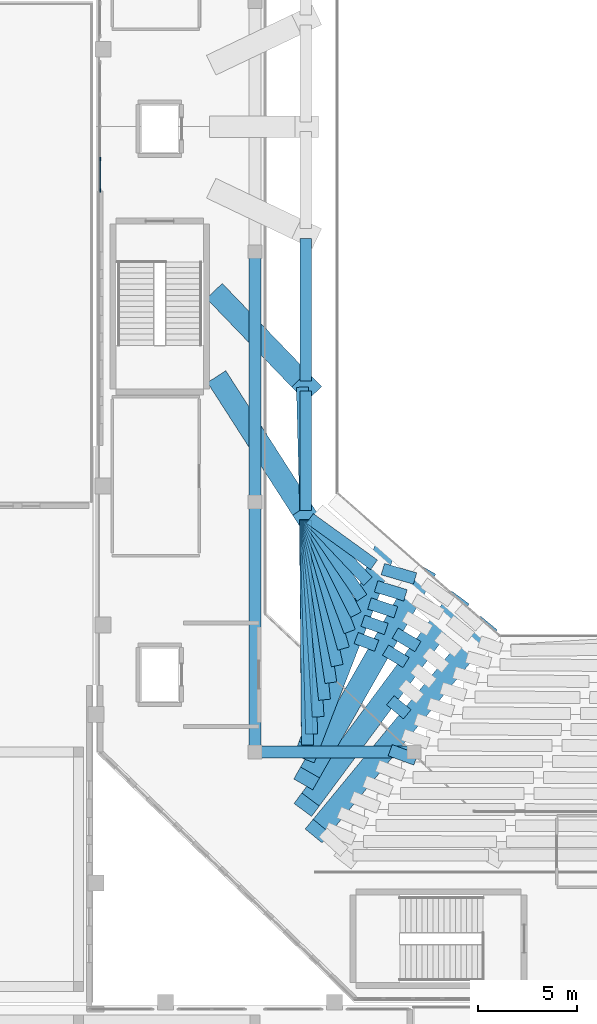
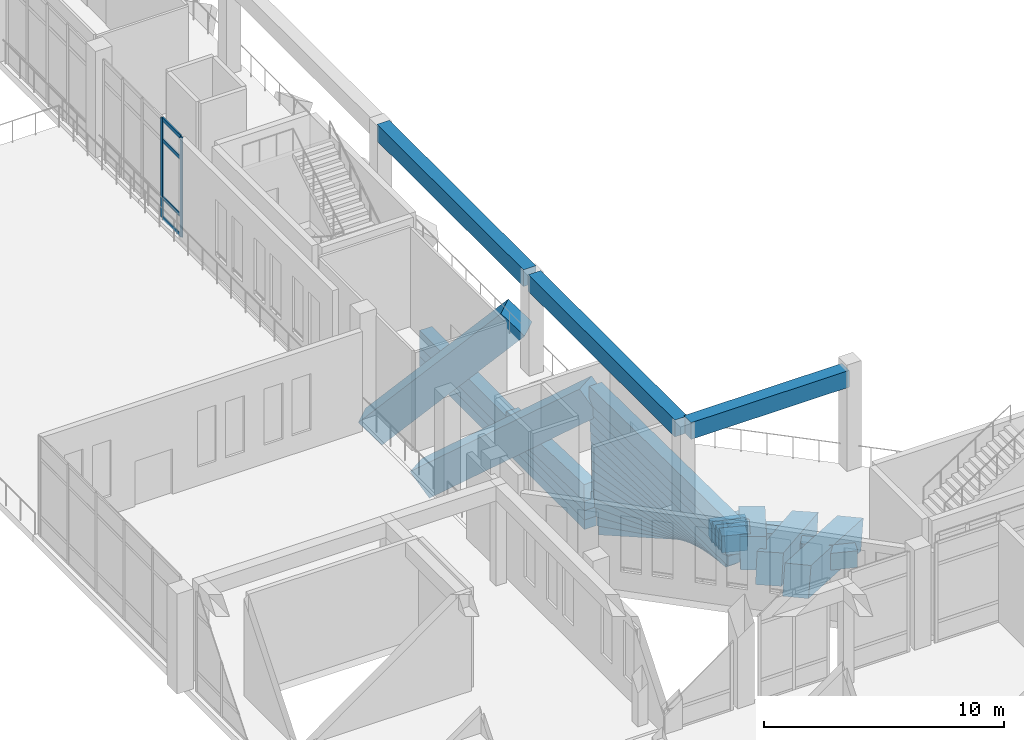
# One storey, part 10 of 55: 40 beams, 6 members, 1 element without a shape of its own.
"""IFC4 building model written with IfcOpenShell, lengths in metres."""

from ifc_helpers import new_model, si_unit, derived_unit, direction, frame, origin, origin_2d, place, context, subcontext, project, spatial, rectangle, extrude, material, layer, layer_set, material_profile, profile_set, type_object, element, aggregate, save


model = new_model("IFC4")

# Units and contexts
model_context = context("Model", 3, precision=1e-05, world=origin(), true_north=direction((0.0, 1.0)))
body_context = subcontext(model_context, "Body", "Model", "MODEL_VIEW")
ifc_project = project(units=[si_unit("LENGTHUNIT", "METRE"), si_unit("AREAUNIT", "SQUARE_METRE"), si_unit("VOLUMEUNIT", "CUBIC_METRE"), si_unit("PLANEANGLEUNIT", "RADIAN"), si_unit("MASSUNIT", "GRAM", prefix="KILO"), derived_unit("THERMALTRANSMITTANCEUNIT", [(si_unit("MASSUNIT", "GRAM", prefix="KILO"), 1), (si_unit("TIMEUNIT", "SECOND"), -3), (si_unit("THERMODYNAMICTEMPERATUREUNIT", "KELVIN"), -1)])], contexts=[model_context])

# Site, building, storey
site_placement = place(None, origin())
site = spatial("IfcSite", under=ifc_project, at=site_placement, CompositionType="ELEMENT")
building_placement = place(site_placement, origin())
building = spatial("IfcBuilding", under=site, at=building_placement, Name="Valcora Ridge Arena", CompositionType="ELEMENT")
storey_placement = place(building_placement, frame((0.0, 0.0, 21.0)))
storey = spatial("IfcBuildingStorey", under=building, at=storey_placement, Name="L04", CompositionType="ELEMENT", Elevation=21.0)

# Beams
ifc_material_1 = material(Name="Concrete C40/50", Category="concrete")
ifc_material_profile_1 = material_profile(ifc_material_1, rectangle(XDim=0.60009765625, YDim=0.85009765625, at=origin_2d()), Name="RC 600x850")
ifc_profile_set_1 = profile_set([ifc_material_profile_1], Name="Concrete C40/50")
beam_type_1 = type_object("IfcBeamType", Name="TY-BEAM-B-RC600-X", PredefinedType="BEAM", material=ifc_profile_set_1)
beam_1_placement = place(storey_placement, frame((26.55712890625, 58.48046875, -8.22509765625), z_axis=(0.0, -1.0, 0.0), x_axis=(1.0, 0.0, 0.0)))
element("IfcBeam", 1, at=beam_1_placement, inside=storey, type_object=beam_type_1, Name="B-RC600-X BEM-RU3-B-RC600-X-0001", PredefinedType="BEAM", context=body_context, shape_type="SweptSolid", body=[
    extrude(rectangle(XDim=0.60009765625, YDim=0.85009765625, at=origin_2d()), origin(), (0.0, 0.0, 1.0), 7.185791015625),
])
beam_2_placement = place(storey_placement, frame((26.55712890625, 50.794677734375, -8.22509765625), z_axis=(0.0, -1.0, 0.0), x_axis=(1.0, 0.0, 0.0)))
element("IfcBeam", 2, at=beam_2_placement, inside=storey, type_object=beam_type_1, Name="B-RC600-X BEM-RU3-B-RC600-X-0002", PredefinedType="BEAM", context=body_context, shape_type="SweptSolid", body=[
    extrude(rectangle(XDim=0.60009765625, YDim=0.85009765625, at=origin_2d()), origin(), (0.0, 0.0, 1.0), 6.02783203125),
])
beam_3_placement = place(storey_placement, frame((26.759765625, 44.370361328125, -8.22509765625), z_axis=(0.810416076583, -0.585854745492, 0.0), x_axis=(0.585854745492, 0.810416076583, 0.0)))
element("IfcBeam", 3, at=beam_3_placement, inside=storey, type_object=beam_type_1, Name="B-RC600-X BEM-RU3-B-RC600-X-0003", PredefinedType="BEAM", context=body_context, shape_type="SweptSolid", body=[
    extrude(rectangle(XDim=0.60009765625, YDim=0.85009765625, at=origin_2d()), origin(), (0.0, 0.0, 1.0), 3.989013671875),
])
beam_4_placement = place(storey_placement, frame((30.43505859375, 41.817138671875, -8.22509765625), z_axis=(0.960164384448, -0.279435779452, 0.0), x_axis=(0.279435779452, 0.960164384448, 0.0)))
element("IfcBeam", 4, at=beam_4_placement, inside=storey, type_object=beam_type_1, Name="B-RC600-X BEM-RU3-B-RC600-X-0004", PredefinedType="BEAM", context=body_context, shape_type="SweptSolid", body=[
    extrude(rectangle(XDim=0.60009765625, YDim=0.85009765625, at=origin_2d()), origin(), (0.0, 0.0, 1.0), 1.695068359375),
])
beam_5_placement = place(storey_placement, frame((26.55712890625, 58.48046875, -7.7451171875), z_axis=(0.0, -1.0, 0.0), x_axis=(1.0, 0.0, 0.0)))
element("IfcBeam", 5, at=beam_5_placement, inside=storey, type_object=beam_type_1, Name="B-RC600-X BEM-RU3-B-RC600-X-0048", PredefinedType="BEAM", context=body_context, shape_type="SweptSolid", body=[
    extrude(rectangle(XDim=0.60009765625, YDim=0.85009765625, at=origin_2d()), origin(), (0.0, 0.0, 1.0), 7.185791015625),
])
beam_6_placement = place(storey_placement, frame((26.55712890625, 50.794677734375, -7.7451171875), z_axis=(0.0, -1.0, 0.0), x_axis=(1.0, 0.0, 0.0)))
element("IfcBeam", 6, at=beam_6_placement, inside=storey, type_object=beam_type_1, Name="B-RC600-X BEM-RU3-B-RC600-X-0049", PredefinedType="BEAM", context=body_context, shape_type="SweptSolid", body=[
    extrude(rectangle(XDim=0.60009765625, YDim=0.85009765625, at=origin_2d()), origin(), (0.0, 0.0, 1.0), 6.02783203125),
])
beam_7_placement = place(storey_placement, frame((26.72900390625, 44.335205078125, -7.7451171875), z_axis=(0.687195811826, -0.726472240494, 0.0), x_axis=(0.726472240494, 0.687195811826, 0.0)))
element("IfcBeam", 7, at=beam_7_placement, inside=storey, type_object=beam_type_1, Name="B-RC600-X BEM-RU3-B-RC600-X-0050", PredefinedType="BEAM", context=body_context, shape_type="SweptSolid", body=[
    extrude(rectangle(XDim=0.60009765625, YDim=0.85009765625, at=origin_2d()), origin(), (0.0, 0.0, 1.0), 4.3076171875),
])
beam_8_placement = place(storey_placement, frame((30.099853515625, 40.95068359375, -7.7451171875), z_axis=(0.955724378932, -0.294263337022, 0.0), x_axis=(0.294263337022, 0.955724378932, 0.0)))
element("IfcBeam", 8, at=beam_8_placement, inside=storey, type_object=beam_type_1, Name="B-RC600-X BEM-RU3-B-RC600-X-0051", PredefinedType="BEAM", context=body_context, shape_type="SweptSolid", body=[
    extrude(rectangle(XDim=0.60009765625, YDim=0.85009765625, at=origin_2d()), origin(), (0.0, 0.0, 1.0), 1.54638671875),
])
beam_9_placement = place(storey_placement, frame((26.55712890625, 58.48046875, -7.264892578125), z_axis=(0.0, -1.0, 0.0), x_axis=(1.0, 0.0, 0.0)))
element("IfcBeam", 9, at=beam_9_placement, inside=storey, type_object=beam_type_1, Name="B-RC600-X BEM-RU3-B-RC600-X-0099", PredefinedType="BEAM", context=body_context, shape_type="SweptSolid", body=[
    extrude(rectangle(XDim=0.60009765625, YDim=0.85009765625, at=origin_2d()), origin(), (0.0, 0.0, 1.0), 7.185791015625),
])
beam_10_placement = place(storey_placement, frame((26.55712890625, 50.794677734375, -7.264892578125), z_axis=(0.0, -1.0, 0.0), x_axis=(1.0, 0.0, 0.0)))
element("IfcBeam", 10, at=beam_10_placement, inside=storey, type_object=beam_type_1, Name="B-RC600-X BEM-RU3-B-RC600-X-0100", PredefinedType="BEAM", context=body_context, shape_type="SweptSolid", body=[
    extrude(rectangle(XDim=0.60009765625, YDim=0.85009765625, at=origin_2d()), origin(), (0.0, 0.0, 1.0), 6.02783203125),
])
beam_11_placement = place(storey_placement, frame((26.697998046875, 44.310302734375, -7.264892578125), z_axis=(0.563395567396, -0.82618728787, 0.0), x_axis=(0.82618728787, 0.563395567396, 0.0)))
element("IfcBeam", 11, at=beam_11_placement, inside=storey, type_object=beam_type_1, Name="B-RC600-X BEM-RU3-B-RC600-X-0101", PredefinedType="BEAM", context=body_context, shape_type="SweptSolid", body=[
    extrude(rectangle(XDim=0.60009765625, YDim=0.85009765625, at=origin_2d()), origin(), (0.0, 0.0, 1.0), 4.771484375),
])
beam_12_placement = place(storey_placement, frame((29.7646484375, 40.083740234375, -7.264892578125), z_axis=(0.950260038819, -0.311457635358, 0.0), x_axis=(0.311457635358, 0.950260038819, 0.0)))
element("IfcBeam", 12, at=beam_12_placement, inside=storey, type_object=beam_type_1, Name="B-RC600-X BEM-RU3-B-RC600-X-0102", PredefinedType="BEAM", context=body_context, shape_type="SweptSolid", body=[
    extrude(rectangle(XDim=0.60009765625, YDim=0.85009765625, at=origin_2d()), origin(), (0.0, 0.0, 1.0), 1.3984375),
])
beam_13_placement = place(storey_placement, frame((26.383056640625, 50.982421875, -6.784912109375), z_axis=(0.026895216296, -0.999638258242, 0.0), x_axis=(0.999638258242, 0.026895216296, 0.0)))
element("IfcBeam", 13, at=beam_13_placement, inside=storey, type_object=beam_type_1, Name="B-RC600-X BEM-RU3-B-RC600-X-0150", PredefinedType="BEAM", context=body_context, shape_type="SweptSolid", body=[
    extrude(rectangle(XDim=0.60009765625, YDim=0.85009765625, at=origin_2d()), origin(), (0.0, 0.0, 1.0), 6.218017578125),
])
beam_14_placement = place(storey_placement, frame((26.669921875, 44.293701171875, -6.784912109375), z_axis=(0.45093630919, -0.892556129918, 0.0), x_axis=(0.892556129918, 0.45093630919, 0.0)))
element("IfcBeam", 14, at=beam_14_placement, inside=storey, type_object=beam_type_1, Name="B-RC600-X BEM-RU3-B-RC600-X-0151", PredefinedType="BEAM", context=body_context, shape_type="SweptSolid", body=[
    extrude(rectangle(XDim=0.60009765625, YDim=0.85009765625, at=origin_2d()), origin(), (0.0, 0.0, 1.0), 5.345947265625),
])
beam_15_placement = place(storey_placement, frame((29.42919921875, 39.21630859375, -6.784912109375), z_axis=(0.943507963543, -0.331349849451, 0.0), x_axis=(0.331349849451, 0.943507963543, 0.0)))
element("IfcBeam", 15, at=beam_15_placement, inside=storey, type_object=beam_type_1, Name="B-RC600-X BEM-RU3-B-RC600-X-0152", PredefinedType="BEAM", context=body_context, shape_type="SweptSolid", body=[
    extrude(rectangle(XDim=0.60009765625, YDim=0.85009765625, at=origin_2d()), origin(), (0.0, 0.0, 1.0), 1.2509765625),
])
beam_16_placement = place(storey_placement, frame((31.060791015625, 38.592041015625, -6.784912109375), z_axis=(0.86201449332, -0.506883628958, 0.0), x_axis=(0.506883628958, 0.86201449332, 0.0)))
element("IfcBeam", 16, at=beam_16_placement, inside=storey, type_object=beam_type_1, Name="B-RC600-X BEM-RU3-B-RC600-X-0153", PredefinedType="BEAM", context=body_context, shape_type="SweptSolid", body=[
    extrude(rectangle(XDim=0.60009765625, YDim=0.85009765625, at=origin_2d()), origin(), (0.0, 0.0, 1.0), 1.328857421875),
])
beam_17_placement = place(storey_placement, frame((26.6455078125, 44.282958984375, -6.304931640625), z_axis=(0.354171001718, -0.935180678555, 0.0), x_axis=(0.935180678555, 0.354171001718, 0.0)))
element("IfcBeam", 17, at=beam_17_placement, inside=storey, type_object=beam_type_1, Name="B-RC600-X BEM-RU3-B-RC600-X-0196", PredefinedType="BEAM", context=body_context, shape_type="SweptSolid", body=[
    extrude(rectangle(XDim=0.60009765625, YDim=0.85009765625, at=origin_2d()), origin(), (0.0, 0.0, 1.0), 6.001220703125),
])
beam_18_placement = place(storey_placement, frame((29.093017578125, 38.34814453125, -6.304931640625), z_axis=(0.935015209488, -0.354607611349, 0.0), x_axis=(0.354607611349, 0.935015209488, 0.0)))
element("IfcBeam", 18, at=beam_18_placement, inside=storey, type_object=beam_type_1, Name="B-RC600-X BEM-RU3-B-RC600-X-0197", PredefinedType="BEAM", context=body_context, shape_type="SweptSolid", body=[
    extrude(rectangle(XDim=0.60009765625, YDim=0.85009765625, at=origin_2d()), origin(), (0.0, 0.0, 1.0), 1.10498046875),
])
beam_19_placement = place(storey_placement, frame((30.573974609375, 37.73828125, -6.304931640625), z_axis=(0.856135271255, -0.516751775335, 0.0), x_axis=(0.516751775335, 0.856135271255, 0.0)))
element("IfcBeam", 19, at=beam_19_placement, inside=storey, type_object=beam_type_1, Name="B-RC600-X BEM-RU3-B-RC600-X-0198", PredefinedType="BEAM", context=body_context, shape_type="SweptSolid", body=[
    extrude(rectangle(XDim=0.60009765625, YDim=0.85009765625, at=origin_2d()), origin(), (0.0, 0.0, 1.0), 1.20849609375),
])
beam_20_placement = place(storey_placement, frame((26.625244140625, 44.2763671875, -5.824951171875), z_axis=(0.27281455905, -0.962066638217, 0.0), x_axis=(0.962066638217, 0.27281455905, 0.0)))
element("IfcBeam", 20, at=beam_20_placement, inside=storey, type_object=beam_type_1, Name="B-RC600-X BEM-RU3-B-RC600-X-0238", PredefinedType="BEAM", context=body_context, shape_type="SweptSolid", body=[
    extrude(rectangle(XDim=0.60009765625, YDim=0.85009765625, at=origin_2d()), origin(), (0.0, 0.0, 1.0), 6.71630859375),
])
beam_21_placement = place(storey_placement, frame((26.6083984375, 44.272216796875, -5.344970703125), z_axis=(0.20500943627, -0.978759996649, 0.0), x_axis=(0.978759996649, 0.20500943627, 0.0)))
element("IfcBeam", 21, at=beam_21_placement, inside=storey, type_object=beam_type_1, Name="B-RC600-X BEM-RU3-B-RC600-X-0274", PredefinedType="BEAM", context=body_context, shape_type="SweptSolid", body=[
    extrude(rectangle(XDim=0.60009765625, YDim=0.85009765625, at=origin_2d()), origin(), (0.0, 0.0, 1.0), 7.473876953125),
])
beam_22_placement = place(storey_placement, frame((30.81689453125, 35.211181640625, -5.344970703125), z_axis=(0.768998447088, -0.639250645972, 0.0), x_axis=(0.639250645972, 0.768998447088, 0.0)))
element("IfcBeam", 22, at=beam_22_placement, inside=storey, type_object=beam_type_1, Name="B-RC600-X BEM-RU3-B-RC600-X-0275", PredefinedType="BEAM", context=body_context, shape_type="SweptSolid", body=[
    extrude(rectangle(XDim=0.60009765625, YDim=0.85009765625, at=origin_2d()), origin(), (0.0, 0.0, 1.0), 1.1064453125),
])
beam_23_placement = place(storey_placement, frame((26.59423828125, 44.26953125, -4.864990234375), z_axis=(0.148461808764, -0.98891814188, 0.0), x_axis=(0.98891814188, 0.148461808764, 0.0)))
element("IfcBeam", 23, at=beam_23_placement, inside=storey, type_object=beam_type_1, Name="B-RC600-X BEM-RU3-B-RC600-X-0306", PredefinedType="BEAM", context=body_context, shape_type="SweptSolid", body=[
    extrude(rectangle(XDim=0.60009765625, YDim=0.85009765625, at=origin_2d()), origin(), (0.0, 0.0, 1.0), 8.263427734375),
])
beam_24_placement = place(storey_placement, frame((26.58251953125, 44.26806640625, -4.385009765625), z_axis=(0.100994876493, -0.994886945799, 0.0), x_axis=(0.994886945799, 0.100994876493, 0.0)))
element("IfcBeam", 24, at=beam_24_placement, inside=storey, type_object=beam_type_1, Name="B-RC600-X BEM-RU3-B-RC600-X-0336", PredefinedType="BEAM", context=body_context, shape_type="SweptSolid", body=[
    extrude(rectangle(XDim=0.60009765625, YDim=0.85009765625, at=origin_2d()), origin(), (0.0, 0.0, 1.0), 9.0771484375),
])
beam_25_placement = place(storey_placement, frame((30.809326171875, 32.697998046875, -4.385009765625), z_axis=(0.939948873633, -0.341315272081, 0.0), x_axis=(0.341315272081, 0.939948873633, 0.0)))
element("IfcBeam", 25, at=beam_25_placement, inside=storey, type_object=beam_type_1, Name="B-RC600-X BEM-RU3-B-RC600-X-0337", PredefinedType="BEAM", context=body_context, shape_type="SweptSolid", body=[
    extrude(rectangle(XDim=0.60009765625, YDim=0.85009765625, at=origin_2d()), origin(), (0.0, 0.0, 1.0), 1.374755859375),
])
beam_26_placement = place(storey_placement, frame((26.572265625, 44.267333984375, -3.905029296875), z_axis=(0.060902681742, -0.99814370877, 0.0), x_axis=(0.99814370877, 0.060902681742, 0.0)))
element("IfcBeam", 26, at=beam_26_placement, inside=storey, type_object=beam_type_1, Name="B-RC600-X BEM-RU3-B-RC600-X-0366", PredefinedType="BEAM", context=body_context, shape_type="SweptSolid", body=[
    extrude(rectangle(XDim=0.60009765625, YDim=0.85009765625, at=origin_2d()), origin(), (0.0, 0.0, 1.0), 9.909423828125),
])
beam_27_placement = place(storey_placement, frame((26.5595703125, 44.273681640625, -3.425048828125), z_axis=(0.027039216059, -0.999634373556, 0.0), x_axis=(0.999634373556, 0.027039216059, 0.0)))
element("IfcBeam", 27, at=beam_27_placement, inside=storey, type_object=beam_type_1, Name="B-RC600-X BEM-RU3-B-RC600-X-0396", PredefinedType="BEAM", context=body_context, shape_type="SweptSolid", body=[
    extrude(rectangle(XDim=0.60009765625, YDim=0.85009765625, at=origin_2d()), origin(), (0.0, 0.0, 1.0), 10.7626953125),
])
beam_28_placement = place(storey_placement, frame((26.548828125, 44.28271484375, -2.945068359375), z_axis=(0.007843065016, -0.999969242693, 0.0), x_axis=(0.999969242693, 0.007843065016, 0.0)))
element("IfcBeam", 28, at=beam_28_placement, inside=storey, type_object=beam_type_1, Name="B-RC600-X BEM-RU3-B-RC600-X-0428", PredefinedType="BEAM", context=body_context, shape_type="SweptSolid", body=[
    extrude(rectangle(XDim=0.60009765625, YDim=0.85009765625, at=origin_2d()), origin(), (0.0, 0.0, 1.0), 11.33056640625),
])
beam_29_placement = place(storey_placement, frame((26.543212890625, 44.2919921875, -2.465087890625), z_axis=(0.008310260536, -0.999965469189, 0.0), x_axis=(0.999965469189, 0.008310260536, 0.0)))
element("IfcBeam", 29, at=beam_29_placement, inside=storey, type_object=beam_type_1, Name="B-RC600-X BEM-RU3-B-RC600-X-0460", PredefinedType="BEAM", context=body_context, shape_type="SweptSolid", body=[
    extrude(rectangle(XDim=0.60009765625, YDim=0.85009765625, at=origin_2d()), origin(), (0.0, 0.0, 1.0), 11.340087890625),
])
beam_30_placement = place(storey_placement, frame((26.537353515625, 44.301025390625, -1.985107421875), z_axis=(0.00881989615, -0.99996110396, 0.0), x_axis=(0.99996110396, 0.00881989615, 0.0)))
element("IfcBeam", 30, at=beam_30_placement, inside=storey, type_object=beam_type_1, Name="B-RC600-X BEM-RU3-B-RC600-X-0492", PredefinedType="BEAM", context=body_context, shape_type="SweptSolid", body=[
    extrude(rectangle(XDim=0.60009765625, YDim=0.85009765625, at=origin_2d()), origin(), (0.0, 0.0, 1.0), 11.34912109375),
])
beam_31_placement = place(storey_placement, frame((26.531494140625, 44.310302734375, -1.5048828125), z_axis=(0.009307021328, -0.999956688739, 0.0), x_axis=(0.999956688739, 0.009307021328, 0.0)))
element("IfcBeam", 31, at=beam_31_placement, inside=storey, type_object=beam_type_1, Name="B-RC600-X BEM-RU3-B-RC600-X-0524", PredefinedType="BEAM", context=body_context, shape_type="SweptSolid", body=[
    extrude(rectangle(XDim=0.60009765625, YDim=0.85009765625, at=origin_2d()), origin(), (0.0, 0.0, 1.0), 11.3583984375),
])
ifc_material_profile_2 = material_profile(ifc_material_1, rectangle(XDim=0.60009765625, YDim=0.85009765625, at=origin_2d()), Name="RC 600x850")
ifc_profile_set_2 = profile_set([ifc_material_profile_2], Name="Concrete C40/50")
beam_type_2 = type_object("IfcBeamType", Name="TY-BEAM-B-RC600-Y", PredefinedType="BEAM", material=ifc_profile_set_2)
beam_32_placement = place(storey_placement, frame((24.0, 32.800048828125, 4.635009765625), z_axis=(0.0, 1.0, 0.0), x_axis=(-1.0, 0.0, 0.0)))
element("IfcBeam", 32, at=beam_32_placement, inside=storey, type_object=beam_type_2, Name="B-RC600-Y BEM-B-RC600-Y-0026", PredefinedType="BEAM", context=body_context, shape_type="SweptSolid", body=[
    extrude(rectangle(XDim=0.60009765625, YDim=0.85009765625, at=origin_2d()), origin(), (0.0, 0.0, 1.0), 12.199951171875),
])
beam_33_placement = place(storey_placement, frame((24.0, 45.39990234375, 4.635009765625), z_axis=(0.0, 1.0, 0.0), x_axis=(-1.0, 0.0, 0.0)))
element("IfcBeam", 33, at=beam_33_placement, inside=storey, type_object=beam_type_2, Name="B-RC600-Y BEM-B-RC600-Y-0027", PredefinedType="BEAM", context=body_context, shape_type="SweptSolid", body=[
    extrude(rectangle(XDim=0.60009765625, YDim=0.85009765625, at=origin_2d()), origin(), (0.0, 0.0, 1.0), 12.2001953125),
])
ifc_material_profile_3 = material_profile(ifc_material_1, rectangle(XDim=0.60009765625, YDim=0.85009765625, at=origin_2d()), Name="RC 600x850")
ifc_profile_set_3 = profile_set([ifc_material_profile_3], Name="Concrete C40/50")
beam_type_3 = type_object("IfcBeamType", Name="TY-BEAM-EB-RC600", PredefinedType="BEAM", material=ifc_profile_set_3)
beam_34_placement = place(storey_placement, frame((24.199951171875, 32.60009765625, 4.635009765625), z_axis=(1.0, 0.0, 0.0), x_axis=(0.0, 1.0, 0.0)))
element("IfcBeam", 34, at=beam_34_placement, inside=storey, type_object=beam_type_3, Name="EB-RC600 BEM-EB-RC600-0035", PredefinedType="BEAM", context=body_context, shape_type="SweptSolid", body=[
    extrude(rectangle(XDim=0.60009765625, YDim=0.85009765625, at=origin_2d()), origin(), (0.0, 0.0, 1.0), 7.60009765625),
])
ifc_material_2 = material(Name="Concrete C45/55", Category="concrete")
ifc_material_profile_4 = material_profile(ifc_material_2, rectangle(XDim=1.10009765625, YDim=1.39990234375, at=origin_2d()), Name="RC 1100x1400")
ifc_profile_set_4 = profile_set([ifc_material_profile_4], Name="Concrete C45/55")
beam_type_4 = type_object("IfcBeamType", Name="TY-BEAM-RKR-UPP-1400", PredefinedType="USERDEFINED", material=ifc_profile_set_4)
beam_35_placement = place(storey_placement, frame((22.31005859375, 55.455078125, -8.52001953125), z_axis=(0.468976828092, -0.487018504383, 0.736799641084), x_axis=(0.72032313541, 0.693638652753, 0.0)))
element("IfcBeam", 35, at=beam_35_placement, inside=storey, type_object=beam_type_4, Name="RKR-UPP-1400 BEM-RK-RKR-UPP-1400-0048", ObjectType="RAKER", PredefinedType="USERDEFINED", context=body_context, shape_type="SweptSolid", body=[
    extrude(rectangle(XDim=1.10009765625, YDim=1.39990234375, at=origin_2d()), origin(), (0.0, 0.0, 1.0), 9.147705078125),
])
beam_36_placement = place(storey_placement, frame((22.31005859375, 51.132568359375, -8.52001953125), z_axis=(0.411877284861, -0.641583487435, 0.647091748415), x_axis=(0.841517933576, 0.540229180506, 0.0)))
element("IfcBeam", 36, at=beam_36_placement, inside=storey, type_object=beam_type_4, Name="RKR-UPP-1400 BEM-RK-RKR-UPP-1400-0049", ObjectType="RAKER", PredefinedType="USERDEFINED", context=body_context, shape_type="SweptSolid", body=[
    extrude(rectangle(XDim=1.10009765625, YDim=1.39990234375, at=origin_2d()), origin(), (0.0, 0.0, 1.0), 10.415771484375),
])
beam_37_placement = place(storey_placement, frame((30.56005859375, 42.830078125, -8.52001953125), z_axis=(-0.30757383173, -0.794572052846, 0.523501280677), x_axis=(0.932569065045, -0.360991605055, 0.0)))
element("IfcBeam", 37, at=beam_37_placement, inside=storey, type_object=beam_type_4, Name="RKR-UPP-1400 BEM-RK-RKR-UPP-1400-0050", ObjectType="RAKER", PredefinedType="USERDEFINED", context=body_context, shape_type="SweptSolid", body=[
    extrude(rectangle(XDim=1.10009765625, YDim=1.39990234375, at=origin_2d()), origin(), (0.0, 0.0, 1.0), 12.874755859375),
])
beam_38_placement = place(storey_placement, frame((32.45458984375, 41.54052734375, -8.52001953125), z_axis=(-0.430331275522, -0.754569202383, 0.49541932958), x_axis=(0.868664904902, -0.495400124133, 0.0)))
element("IfcBeam", 38, at=beam_38_placement, inside=storey, type_object=beam_type_4, Name="RKR-UPP-1400 BEM-RK-RKR-UPP-1400-0051", ObjectType="RAKER", PredefinedType="USERDEFINED", context=body_context, shape_type="SweptSolid", body=[
    extrude(rectangle(XDim=1.10009765625, YDim=1.39990234375, at=origin_2d()), origin(), (0.0, 0.0, 1.0), 13.604736328125),
])
beam_39_placement = place(storey_placement, frame((34.152587890625, 40.123046875, -8.52001953125), z_axis=(-0.526258722603, -0.708862929114, 0.469643593176), x_axis=(0.802920122733, -0.596086635071, 0.0)))
element("IfcBeam", 39, at=beam_39_placement, inside=storey, type_object=beam_type_4, Name="RKR-UPP-1400 BEM-RK-RKR-UPP-1400-0052", ObjectType="RAKER", PredefinedType="USERDEFINED", context=body_context, shape_type="SweptSolid", body=[
    extrude(rectangle(XDim=1.10009765625, YDim=1.39990234375, at=origin_2d()), origin(), (0.0, 0.0, 1.0), 14.351318359375),
])
beam_40_placement = place(storey_placement, frame((35.578857421875, 38.860107421875, -8.52001953125), z_axis=(-0.566695277854, -0.688126462953, 0.453142839557), x_axis=(0.771928641086, -0.635709189073, 0.0)))
element("IfcBeam", 40, at=beam_40_placement, inside=storey, type_object=beam_type_4, Name="RKR-UPP-1400 BEM-RK-RKR-UPP-1400-0053", ObjectType="RAKER", PredefinedType="USERDEFINED", context=body_context, shape_type="SweptSolid", body=[
    extrude(rectangle(XDim=1.10009765625, YDim=1.39990234375, at=origin_2d()), origin(), (0.0, 0.0, 1.0), 14.873779296875),
])

# Curtain wall, members
ifc_material_3 = material(Name="Anodised dark bronze architectural aluminium 6063-T6", Category="aluminium")
ifc_layer = layer(ifc_material_3, 0.179931640625, Name="Anodised dark bronze architectural aluminium 6063-T6")
ifc_layer_set = layer_set([ifc_layer], Name="Anodised dark bronze architectural aluminium 6063-T6")
curtain_wall_type = type_object("IfcCurtainWallType", Name="TY-CURTAINWALL-CW-V1-GOTH-065X51", PredefinedType="NOTDEFINED", material=ifc_layer_set)
curtain_wall_placement = place(storey_placement, origin())
curtain_wall = element("IfcCurtainWall", 41, at=curtain_wall_placement, inside=storey, type_object=curtain_wall_type, Name="CW-V1-GOTH-065X51 CW-0149", PredefinedType="NOTDEFINED")
ifc_material_profile_5 = material_profile(ifc_material_3, rectangle(XDim=0.06005859375, YDim=0.179931640625, at=origin_2d()), Name="ALU MULLION 60x180")
ifc_profile_set_5 = profile_set([ifc_material_profile_5], Name="Anodised dark bronze architectural aluminium 6063-T6")
member_type_1 = type_object("IfcMemberType", Name="TY-MEM-CWM-60x180", PredefinedType="MULLION", material=ifc_profile_set_5)
member_1_placement = place(storey_placement, frame((16.199951171875, 60.8798828125, 0.0), z_axis=(0.0, 0.0, 1.0), x_axis=(-1.0, 0.0, 0.0)))
member_1 = element("IfcMember", 42, at=member_1_placement, type_object=member_type_1, Name="CW-0149/CWM-60x180/M00", PredefinedType="MULLION", context=body_context, shape_type="SweptSolid", body=[
    extrude(rectangle(XDim=0.06005859375, YDim=0.179931640625, at=origin_2d()), origin(), (0.0, 0.0, 1.0), 5.06005859375),
])
member_2_placement = place(storey_placement, frame((16.199951171875, 62.4775390625, 0.0), z_axis=(0.0, 0.0, 1.0), x_axis=(-1.0, 0.0, 0.0)))
member_2 = element("IfcMember", 43, at=member_2_placement, type_object=member_type_1, Name="CW-0149/CWM-60x180/M01", PredefinedType="MULLION", context=body_context, shape_type="SweptSolid", body=[
    extrude(rectangle(XDim=0.06005859375, YDim=0.179931640625, at=origin_2d()), origin(), (0.0, 0.0, 1.0), 5.06005859375),
])
ifc_material_profile_6 = material_profile(ifc_material_3, rectangle(XDim=0.06005859375, YDim=0.179931640625, at=origin_2d()), Name="ALU TRANSOM 60x180")
ifc_profile_set_6 = profile_set([ifc_material_profile_6], Name="Anodised dark bronze architectural aluminium 6063-T6")
member_type_2 = type_object("IfcMemberType", Name="TY-MEM-CWT-60x180", PredefinedType="USERDEFINED", material=ifc_profile_set_6)
member_3_placement = place(storey_placement, frame((16.199951171875, 60.909912109375, 0.030029296875), z_axis=(0.0, 1.0, 0.0), x_axis=(-1.0, 0.0, 0.0)))
member_3 = element("IfcMember", 44, at=member_3_placement, type_object=member_type_2, Name="CW-0149/CWT-60x180/T00-00", ObjectType="TRANSOM", PredefinedType="USERDEFINED", context=body_context, shape_type="SweptSolid", body=[
    extrude(rectangle(XDim=0.06005859375, YDim=0.179931640625, at=origin_2d()), origin(), (0.0, 0.0, 1.0), 1.537109375),
])
member_4_placement = place(storey_placement, frame((16.199951171875, 60.909912109375, 1.050048828125), z_axis=(0.0, 1.0, 0.0), x_axis=(-1.0, 0.0, 0.0)))
member_4 = element("IfcMember", 45, at=member_4_placement, type_object=member_type_2, Name="CW-0149/CWT-60x180/T00-01", ObjectType="TRANSOM", PredefinedType="USERDEFINED", context=body_context, shape_type="SweptSolid", body=[
    extrude(rectangle(XDim=0.06005859375, YDim=0.179931640625, at=origin_2d()), origin(), (0.0, 0.0, 1.0), 1.537109375),
])
member_5_placement = place(storey_placement, frame((16.199951171875, 60.909912109375, 3.9599609375), z_axis=(0.0, 1.0, 0.0), x_axis=(-1.0, 0.0, 0.0)))
member_5 = element("IfcMember", 46, at=member_5_placement, type_object=member_type_2, Name="CW-0149/CWT-60x180/T00-02", ObjectType="TRANSOM", PredefinedType="USERDEFINED", context=body_context, shape_type="SweptSolid", body=[
    extrude(rectangle(XDim=0.06005859375, YDim=0.179931640625, at=origin_2d()), origin(), (0.0, 0.0, 1.0), 1.537109375),
])
member_6_placement = place(storey_placement, frame((16.199951171875, 60.909912109375, 5.030029296875), z_axis=(0.0, 1.0, 0.0), x_axis=(-1.0, 0.0, 0.0)))
member_6 = element("IfcMember", 47, at=member_6_placement, type_object=member_type_2, Name="CW-0149/CWT-60x180/T00-03", ObjectType="TRANSOM", PredefinedType="USERDEFINED", context=body_context, shape_type="SweptSolid", body=[
    extrude(rectangle(XDim=0.06005859375, YDim=0.179931640625, at=origin_2d()), origin(), (0.0, 0.0, 1.0), 1.537109375),
])
aggregate(curtain_wall, [member_1, member_2, member_3, member_4, member_5, member_6])

save(model, "model.ifc")
